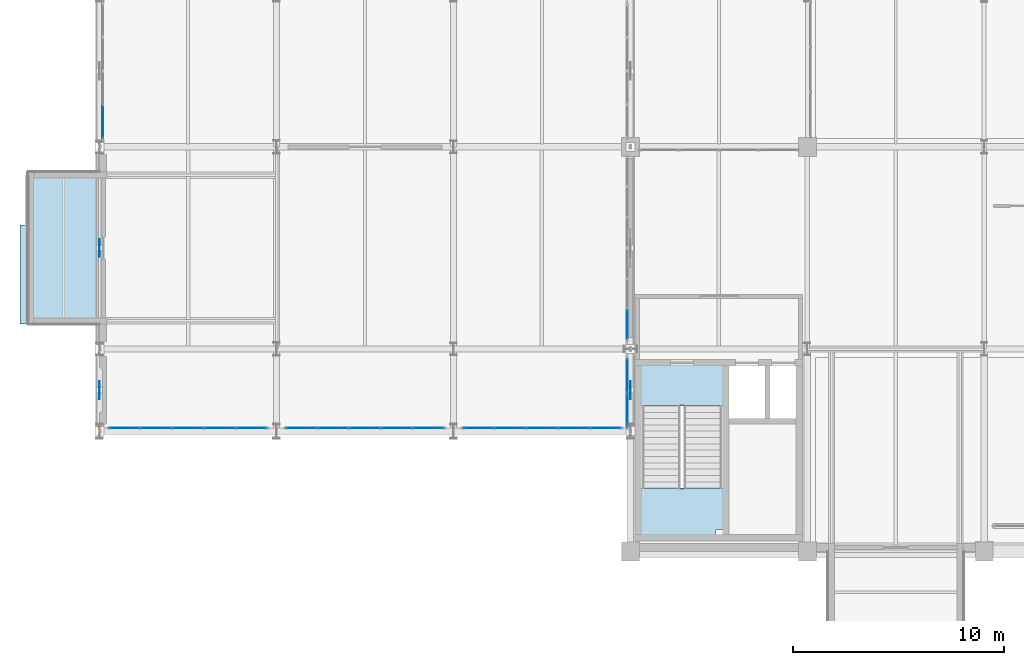
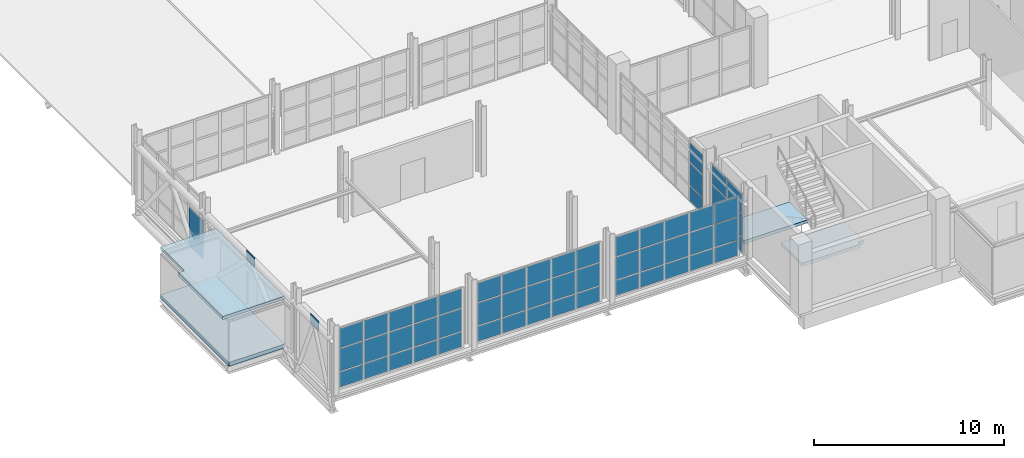
# One storey, part 104 of 130: 59 plates, 4 slabs, 7 elements without a shape of their own.
"""IFC4 building model written with IfcOpenShell, lengths in metres."""

from ifc_helpers import new_model, si_unit, direction, frame, origin, origin_2d, place, context, subcontext, project, spatial, polyline, rectangle, outline, extrude, material, layer, layer_set, type_object, element, aggregate, save


model = new_model("IFC4")

# Units and contexts
model_context = context("Model", 3, precision=1e-05, world=origin(), true_north=direction((0.0, 1.0)))
body_context = subcontext(model_context, "Body", "Model", "MODEL_VIEW")
ifc_project = project(units=[si_unit("LENGTHUNIT", "METRE"), si_unit("AREAUNIT", "SQUARE_METRE"), si_unit("VOLUMEUNIT", "CUBIC_METRE"), si_unit("PLANEANGLEUNIT", "RADIAN"), si_unit("MASSUNIT", "GRAM", prefix="KILO")], contexts=[model_context])

# Site, building, storey
site_placement = place(None, origin())
site = spatial("IfcSite", under=ifc_project, at=site_placement, CompositionType="ELEMENT")
building_placement = place(site_placement, origin())
building = spatial("IfcBuilding", under=site, at=building_placement, Name="Veltarok Museum of Natural Sciences", CompositionType="ELEMENT")
storey_placement = place(building_placement, frame((0.0, 0.0, 12.89990234375)))
storey = spatial("IfcBuildingStorey", under=building, at=storey_placement, Name="L02", CompositionType="ELEMENT", Elevation=12.89990234375)

# Slabs
ifc_material_1 = material(Name="Concrete C35/45", Category="concrete")
ifc_layer_1 = layer(ifc_material_1, 0.199951171875)
ifc_layer_set_1 = layer_set([ifc_layer_1], Name="Concrete C35/45")
slab_type_1 = type_object("IfcSlabType", Name="Cantilevered Cabinet Box Roof Slab 200", PredefinedType="ROOF", material=ifc_layer_set_1)
slab_1_placement = place(storey_placement, frame((0.0, 0.0, 2.880126953125)))
element("IfcSlab", 1, at=slab_1_placement, inside=storey, type_object=slab_type_1, Name="Cabinet Box Roof Slab DB-32", PredefinedType="ROOF", context=body_context, shape_type="SweptSolid", body=[
    extrude(outline(polyline([(2.6201171875, 10.800048828125), (6.39990234375, 10.800048828125), (6.39990234375, 18.0), (3.0, 18.0), (3.0, 15.47998046875), (2.6201171875, 15.47998046875), (2.6201171875, 10.800048828125)])), origin(), (0.0, 0.0, 1.0), 0.199951171875),
])
ifc_layer_2 = layer(ifc_material_1, 0.199951171875)
ifc_layer_set_2 = layer_set([ifc_layer_2], Name="Concrete C35/45")
slab_type_2 = type_object("IfcSlabType", Name="Protected Stair Intermediate Landing Slab 200", PredefinedType="LANDING", material=ifc_layer_set_2)
slab_2_placement = place(storey_placement, frame((0.0, 0.0, -0.199951171875)))
element("IfcSlab", 2, at=slab_2_placement, inside=storey, type_object=slab_type_2, Name="Stairwell Floor Landing ST-01 L02", PredefinedType="LANDING", context=body_context, shape_type="SweptSolid", body=[
    extrude(outline(polyline([(32.110107421875, 6.89990234375), (35.989990234375, 6.89990234375), (35.989990234375, 8.820068359375), (32.110107421875, 8.820068359375), (32.110107421875, 6.89990234375)])), origin(), (0.0, 0.0, 1.0), 0.199951171875),
])

# Stair, slab
ifc_material_2 = material(Name="Precast concrete C40/50", Category="concrete")
stair_type = type_object("IfcStairType", Name="Protected Half-Turn Escape Stair H4500", PredefinedType="HALF_TURN_STAIR", material=ifc_material_2)
stair_placement = place(storey_placement, origin())
stair = element("IfcStair", 3, at=stair_placement, inside=storey, type_object=stair_type, Name="Protected Escape Stair ST-01-L02", PredefinedType="HALF_TURN_STAIR")
slab_3_placement = place(storey_placement, frame((0.0, 0.0, 2.050048828125)))
slab_3 = element("IfcSlab", 4, at=slab_3_placement, type_object=slab_type_2, Name="ST-01-L02 landing 1", PredefinedType="LANDING", context=body_context, shape_type="SweptSolid", body=[
    extrude(outline(polyline([(32.110107421875, 0.780029296875), (35.669921875, 0.780029296875), (35.669921875, 1.02001953125), (35.989990234375, 1.02001953125), (35.989990234375, 3.0), (32.110107421875, 3.0), (32.110107421875, 0.780029296875)])), origin(), (0.0, 0.0, 1.0), 0.199951171875),
])
aggregate(stair, [slab_3])

# Slab
ifc_layer_3 = layer(ifc_material_1, 0.25)
ifc_layer_set_3 = layer_set([ifc_layer_3], Name="Concrete C35/45")
slab_type_3 = type_object("IfcSlabType", Name="Suspended Museum Floor Slab 250", PredefinedType="FLOOR", material=ifc_layer_set_3)
slab_4_placement = place(storey_placement, frame((0.0, 0.0, -0.25)))
element("IfcSlab", 5, at=slab_4_placement, inside=storey, type_object=slab_type_3, Name="Cabinet Box Floor Slab DB-32", PredefinedType="FLOOR", context=body_context, shape_type="SweptSolid", body=[
    extrude(outline(polyline([(3.0, 10.800048828125), (6.39990234375, 10.800048828125), (6.39990234375, 18.0), (3.0, 18.0), (3.0, 10.800048828125)])), origin(), (0.0, 0.0, 1.0), 0.25),
])

# Plates
ifc_material_3 = material(Name="Steel S355J2", Category="steel")
ifc_layer_4 = layer(ifc_material_3, 0.030029296875)
ifc_layer_set_4 = layer_set([ifc_layer_4], Name="Steel S355J2")
plate_type_1 = type_object("IfcPlateType", Name="Transfer Truss Chord Gusset Node Plate CN1", PredefinedType="USERDEFINED", material=ifc_layer_set_4)
for number, where, z_axis, x_axis, name in (
    (6, (6.39990234375, 7.64990234375, 3.01025390625), (0.0, 0.0, 1.0), (1.0, 0.0, 0.0), "Transfer Truss Node CN1 1"),
    (7, (6.39990234375, 14.39990234375, 3.01025390625), (0.0, 0.0, 1.0), (1.0, 0.0, 0.0), "Transfer Truss Node CN1 2"),
    (8, (31.60009765625, 7.64990234375, 3.01025390625), (0.0, 0.0, 1.0), (1.0, 0.0, 0.0), "Transfer Truss Node CN1 4"),
):
    element("IfcPlate", number, at=place(storey_placement, frame(where, z_axis=z_axis, x_axis=x_axis)), inside=storey, type_object=plate_type_1, Name=name, ObjectType="GUSSET PLATE", PredefinedType="USERDEFINED", context=body_context, shape_type="SweptSolid", body=[
        extrude(rectangle(XDim=0.030029296875, YDim=0.840087890625, at=origin_2d()), origin(), (0.0, 0.0, 1.0), 0.639892578125),
    ])

# Curtain wall, plates
ifc_material_4 = material(Name="Low-iron triple insulated glass", Category="glass")
curtain_wall_type_1 = type_object("IfcCurtainWallType", Name="Curtain Wall System CW-BRG-S-L02-1-756x388 (Bridge South Cantilever L02 1-2 756x388cm)", PredefinedType="NOTDEFINED", material=ifc_material_4)
curtain_wall_1_placement = place(storey_placement, origin())
curtain_wall_1 = element("IfcCurtainWall", 9, at=curtain_wall_1_placement, inside=storey, type_object=curtain_wall_type_1, Name="Curtain Wall CW-BRG-S-L02-1-756x388 CW-0027", PredefinedType="NOTDEFINED")
ifc_layer_5 = layer(ifc_material_4, 0.028076171875)
ifc_layer_set_5 = layer_set([ifc_layer_5], Name="Low-iron triple insulated glass")
plate_type_2 = type_object("IfcPlateType", Name="Triple Low-Iron Glazed Vision Panel 28", PredefinedType="CURTAIN_PANEL", material=ifc_layer_set_5)
plate_1_placement = place(storey_placement, frame((7.591064453125, 5.85009765625, 0.06005859375), z_axis=(0.0, 0.0, 1.0), x_axis=(1.0, 0.0, 0.0)))
plate_1 = element("IfcPlate", 10, at=plate_1_placement, type_object=plate_type_2, Name="CW-BRG-S-L02-1-756x388 panel 1.1", PredefinedType="CURTAIN_PANEL", context=body_context, shape_type="SweptSolid", body=[
    extrude(rectangle(XDim=1.422119140625, YDim=0.028076171875, at=origin_2d()), origin(), (0.0, 0.0, 1.0), 0.9599609375),
])
plate_2_placement = place(storey_placement, frame((7.591064453125, 5.85009765625, 1.080078125), z_axis=(0.0, 0.0, 1.0), x_axis=(1.0, 0.0, 0.0)))
plate_2 = element("IfcPlate", 11, at=plate_2_placement, type_object=plate_type_2, Name="CW-BRG-S-L02-1-756x388 panel 1.2", PredefinedType="CURTAIN_PANEL", context=body_context, shape_type="SweptSolid", body=[
    extrude(rectangle(XDim=1.422119140625, YDim=0.028076171875, at=origin_2d()), origin(), (0.0, 0.0, 1.0), 1.43994140625),
])
plate_3_placement = place(storey_placement, frame((7.591064453125, 5.85009765625, 2.580078125), z_axis=(0.0, 0.0, 1.0), x_axis=(1.0, 0.0, 0.0)))
plate_3 = element("IfcPlate", 12, at=plate_3_placement, type_object=plate_type_2, Name="CW-BRG-S-L02-1-756x388 panel 1.3", PredefinedType="CURTAIN_PANEL", context=body_context, shape_type="SweptSolid", body=[
    extrude(rectangle(XDim=1.422119140625, YDim=0.028076171875, at=origin_2d()), origin(), (0.0, 0.0, 1.0), 1.239990234375),
])
plate_4_placement = place(storey_placement, frame((9.087890625, 5.85009765625, 0.06005859375), z_axis=(0.0, 0.0, 1.0), x_axis=(1.0, 0.0, 0.0)))
plate_4 = element("IfcPlate", 13, at=plate_4_placement, type_object=plate_type_2, Name="CW-BRG-S-L02-1-756x388 panel 2.1", PredefinedType="CURTAIN_PANEL", context=body_context, shape_type="SweptSolid", body=[
    extrude(rectangle(XDim=1.451904296875, YDim=0.028076171875, at=origin_2d()), origin(), (0.0, 0.0, 1.0), 0.9599609375),
])
plate_5_placement = place(storey_placement, frame((9.087890625, 5.85009765625, 1.080078125), z_axis=(0.0, 0.0, 1.0), x_axis=(1.0, 0.0, 0.0)))
plate_5 = element("IfcPlate", 14, at=plate_5_placement, type_object=plate_type_2, Name="CW-BRG-S-L02-1-756x388 panel 2.2", PredefinedType="CURTAIN_PANEL", context=body_context, shape_type="SweptSolid", body=[
    extrude(rectangle(XDim=1.451904296875, YDim=0.028076171875, at=origin_2d()), origin(), (0.0, 0.0, 1.0), 1.43994140625),
])
plate_6_placement = place(storey_placement, frame((9.087890625, 5.85009765625, 2.580078125), z_axis=(0.0, 0.0, 1.0), x_axis=(1.0, 0.0, 0.0)))
plate_6 = element("IfcPlate", 15, at=plate_6_placement, type_object=plate_type_2, Name="CW-BRG-S-L02-1-756x388 panel 2.3", PredefinedType="CURTAIN_PANEL", context=body_context, shape_type="SweptSolid", body=[
    extrude(rectangle(XDim=1.451904296875, YDim=0.028076171875, at=origin_2d()), origin(), (0.0, 0.0, 1.0), 1.239990234375),
])
plate_7_placement = place(storey_placement, frame((10.60009765625, 5.85009765625, 0.06005859375), z_axis=(0.0, 0.0, 1.0), x_axis=(1.0, 0.0, 0.0)))
plate_7 = element("IfcPlate", 16, at=plate_7_placement, type_object=plate_type_2, Name="CW-BRG-S-L02-1-756x388 panel 3.1", PredefinedType="CURTAIN_PANEL", context=body_context, shape_type="SweptSolid", body=[
    extrude(rectangle(XDim=1.451904296875, YDim=0.028076171875, at=origin_2d()), origin(), (0.0, 0.0, 1.0), 0.9599609375),
])
plate_8_placement = place(storey_placement, frame((10.60009765625, 5.85009765625, 1.080078125), z_axis=(0.0, 0.0, 1.0), x_axis=(1.0, 0.0, 0.0)))
plate_8 = element("IfcPlate", 17, at=plate_8_placement, type_object=plate_type_2, Name="CW-BRG-S-L02-1-756x388 panel 3.2", PredefinedType="CURTAIN_PANEL", context=body_context, shape_type="SweptSolid", body=[
    extrude(rectangle(XDim=1.451904296875, YDim=0.028076171875, at=origin_2d()), origin(), (0.0, 0.0, 1.0), 1.43994140625),
])
plate_9_placement = place(storey_placement, frame((10.60009765625, 5.85009765625, 2.580078125), z_axis=(0.0, 0.0, 1.0), x_axis=(1.0, 0.0, 0.0)))
plate_9 = element("IfcPlate", 18, at=plate_9_placement, type_object=plate_type_2, Name="CW-BRG-S-L02-1-756x388 panel 3.3", PredefinedType="CURTAIN_PANEL", context=body_context, shape_type="SweptSolid", body=[
    extrude(rectangle(XDim=1.451904296875, YDim=0.028076171875, at=origin_2d()), origin(), (0.0, 0.0, 1.0), 1.239990234375),
])
plate_10_placement = place(storey_placement, frame((12.112060546875, 5.85009765625, 0.06005859375), z_axis=(0.0, 0.0, 1.0), x_axis=(1.0, 0.0, 0.0)))
plate_10 = element("IfcPlate", 19, at=plate_10_placement, type_object=plate_type_2, Name="CW-BRG-S-L02-1-756x388 panel 4.1", PredefinedType="CURTAIN_PANEL", context=body_context, shape_type="SweptSolid", body=[
    extrude(rectangle(XDim=1.451904296875, YDim=0.028076171875, at=origin_2d()), origin(), (0.0, 0.0, 1.0), 0.9599609375),
])
plate_11_placement = place(storey_placement, frame((12.112060546875, 5.85009765625, 1.080078125), z_axis=(0.0, 0.0, 1.0), x_axis=(1.0, 0.0, 0.0)))
plate_11 = element("IfcPlate", 20, at=plate_11_placement, type_object=plate_type_2, Name="CW-BRG-S-L02-1-756x388 panel 4.2", PredefinedType="CURTAIN_PANEL", context=body_context, shape_type="SweptSolid", body=[
    extrude(rectangle(XDim=1.451904296875, YDim=0.028076171875, at=origin_2d()), origin(), (0.0, 0.0, 1.0), 1.43994140625),
])
plate_12_placement = place(storey_placement, frame((12.112060546875, 5.85009765625, 2.580078125), z_axis=(0.0, 0.0, 1.0), x_axis=(1.0, 0.0, 0.0)))
plate_12 = element("IfcPlate", 21, at=plate_12_placement, type_object=plate_type_2, Name="CW-BRG-S-L02-1-756x388 panel 4.3", PredefinedType="CURTAIN_PANEL", context=body_context, shape_type="SweptSolid", body=[
    extrude(rectangle(XDim=1.451904296875, YDim=0.028076171875, at=origin_2d()), origin(), (0.0, 0.0, 1.0), 1.239990234375),
])
plate_13_placement = place(storey_placement, frame((13.60888671875, 5.85009765625, 0.06005859375), z_axis=(0.0, 0.0, 1.0), x_axis=(1.0, 0.0, 0.0)))
plate_13 = element("IfcPlate", 22, at=plate_13_placement, type_object=plate_type_2, Name="CW-BRG-S-L02-1-756x388 panel 5.1", PredefinedType="CURTAIN_PANEL", context=body_context, shape_type="SweptSolid", body=[
    extrude(rectangle(XDim=1.422119140625, YDim=0.028076171875, at=origin_2d()), origin(), (0.0, 0.0, 1.0), 0.9599609375),
])
plate_14_placement = place(storey_placement, frame((13.60888671875, 5.85009765625, 1.080078125), z_axis=(0.0, 0.0, 1.0), x_axis=(1.0, 0.0, 0.0)))
plate_14 = element("IfcPlate", 23, at=plate_14_placement, type_object=plate_type_2, Name="CW-BRG-S-L02-1-756x388 panel 5.2", PredefinedType="CURTAIN_PANEL", context=body_context, shape_type="SweptSolid", body=[
    extrude(rectangle(XDim=1.422119140625, YDim=0.028076171875, at=origin_2d()), origin(), (0.0, 0.0, 1.0), 1.43994140625),
])
plate_15_placement = place(storey_placement, frame((13.60888671875, 5.85009765625, 2.580078125), z_axis=(0.0, 0.0, 1.0), x_axis=(1.0, 0.0, 0.0)))
plate_15 = element("IfcPlate", 24, at=plate_15_placement, type_object=plate_type_2, Name="CW-BRG-S-L02-1-756x388 panel 5.3", PredefinedType="CURTAIN_PANEL", context=body_context, shape_type="SweptSolid", body=[
    extrude(rectangle(XDim=1.422119140625, YDim=0.028076171875, at=origin_2d()), origin(), (0.0, 0.0, 1.0), 1.239990234375),
])
aggregate(curtain_wall_1, [plate_1, plate_2, plate_3, plate_4, plate_5, plate_6, plate_7, plate_8, plate_9, plate_10, plate_11, plate_12, plate_13, plate_14, plate_15])

curtain_wall_type_2 = type_object("IfcCurtainWallType", Name="Curtain Wall System CW-BRG-S-L02-2-756x388 (Bridge South Cantilever L02 2-3 756x388cm)", PredefinedType="NOTDEFINED", material=ifc_material_4)
curtain_wall_2_placement = place(storey_placement, origin())
curtain_wall_2 = element("IfcCurtainWall", 25, at=curtain_wall_2_placement, inside=storey, type_object=curtain_wall_type_2, Name="Curtain Wall CW-BRG-S-L02-2-756x388 CW-0028", PredefinedType="NOTDEFINED")
plate_16_placement = place(storey_placement, frame((15.990966796875, 5.85009765625, 0.06005859375), z_axis=(0.0, 0.0, 1.0), x_axis=(1.0, 0.0, 0.0)))
plate_16 = element("IfcPlate", 26, at=plate_16_placement, type_object=plate_type_2, Name="CW-BRG-S-L02-2-756x388 panel 1.1", PredefinedType="CURTAIN_PANEL", context=body_context, shape_type="SweptSolid", body=[
    extrude(rectangle(XDim=1.422119140625, YDim=0.028076171875, at=origin_2d()), origin(), (0.0, 0.0, 1.0), 0.9599609375),
])
plate_17_placement = place(storey_placement, frame((15.990966796875, 5.85009765625, 1.080078125), z_axis=(0.0, 0.0, 1.0), x_axis=(1.0, 0.0, 0.0)))
plate_17 = element("IfcPlate", 27, at=plate_17_placement, type_object=plate_type_2, Name="CW-BRG-S-L02-2-756x388 panel 1.2", PredefinedType="CURTAIN_PANEL", context=body_context, shape_type="SweptSolid", body=[
    extrude(rectangle(XDim=1.422119140625, YDim=0.028076171875, at=origin_2d()), origin(), (0.0, 0.0, 1.0), 1.43994140625),
])
plate_18_placement = place(storey_placement, frame((15.990966796875, 5.85009765625, 2.580078125), z_axis=(0.0, 0.0, 1.0), x_axis=(1.0, 0.0, 0.0)))
plate_18 = element("IfcPlate", 28, at=plate_18_placement, type_object=plate_type_2, Name="CW-BRG-S-L02-2-756x388 panel 1.3", PredefinedType="CURTAIN_PANEL", context=body_context, shape_type="SweptSolid", body=[
    extrude(rectangle(XDim=1.422119140625, YDim=0.028076171875, at=origin_2d()), origin(), (0.0, 0.0, 1.0), 1.239990234375),
])
plate_19_placement = place(storey_placement, frame((17.488037109375, 5.85009765625, 0.06005859375), z_axis=(0.0, 0.0, 1.0), x_axis=(1.0, 0.0, 0.0)))
plate_19 = element("IfcPlate", 29, at=plate_19_placement, type_object=plate_type_2, Name="CW-BRG-S-L02-2-756x388 panel 2.1", PredefinedType="CURTAIN_PANEL", context=body_context, shape_type="SweptSolid", body=[
    extrude(rectangle(XDim=1.451904296875, YDim=0.028076171875, at=origin_2d()), origin(), (0.0, 0.0, 1.0), 0.9599609375),
])
plate_20_placement = place(storey_placement, frame((17.488037109375, 5.85009765625, 1.080078125), z_axis=(0.0, 0.0, 1.0), x_axis=(1.0, 0.0, 0.0)))
plate_20 = element("IfcPlate", 30, at=plate_20_placement, type_object=plate_type_2, Name="CW-BRG-S-L02-2-756x388 panel 2.2", PredefinedType="CURTAIN_PANEL", context=body_context, shape_type="SweptSolid", body=[
    extrude(rectangle(XDim=1.451904296875, YDim=0.028076171875, at=origin_2d()), origin(), (0.0, 0.0, 1.0), 1.43994140625),
])
plate_21_placement = place(storey_placement, frame((17.488037109375, 5.85009765625, 2.580078125), z_axis=(0.0, 0.0, 1.0), x_axis=(1.0, 0.0, 0.0)))
plate_21 = element("IfcPlate", 31, at=plate_21_placement, type_object=plate_type_2, Name="CW-BRG-S-L02-2-756x388 panel 2.3", PredefinedType="CURTAIN_PANEL", context=body_context, shape_type="SweptSolid", body=[
    extrude(rectangle(XDim=1.451904296875, YDim=0.028076171875, at=origin_2d()), origin(), (0.0, 0.0, 1.0), 1.239990234375),
])
plate_22_placement = place(storey_placement, frame((19.0, 5.85009765625, 0.06005859375), z_axis=(0.0, 0.0, 1.0), x_axis=(1.0, 0.0, 0.0)))
plate_22 = element("IfcPlate", 32, at=plate_22_placement, type_object=plate_type_2, Name="CW-BRG-S-L02-2-756x388 panel 3.1", PredefinedType="CURTAIN_PANEL", context=body_context, shape_type="SweptSolid", body=[
    extrude(rectangle(XDim=1.451904296875, YDim=0.028076171875, at=origin_2d()), origin(), (0.0, 0.0, 1.0), 0.9599609375),
])
plate_23_placement = place(storey_placement, frame((19.0, 5.85009765625, 1.080078125), z_axis=(0.0, 0.0, 1.0), x_axis=(1.0, 0.0, 0.0)))
plate_23 = element("IfcPlate", 33, at=plate_23_placement, type_object=plate_type_2, Name="CW-BRG-S-L02-2-756x388 panel 3.2", PredefinedType="CURTAIN_PANEL", context=body_context, shape_type="SweptSolid", body=[
    extrude(rectangle(XDim=1.451904296875, YDim=0.028076171875, at=origin_2d()), origin(), (0.0, 0.0, 1.0), 1.43994140625),
])
plate_24_placement = place(storey_placement, frame((19.0, 5.85009765625, 2.580078125), z_axis=(0.0, 0.0, 1.0), x_axis=(1.0, 0.0, 0.0)))
plate_24 = element("IfcPlate", 34, at=plate_24_placement, type_object=plate_type_2, Name="CW-BRG-S-L02-2-756x388 panel 3.3", PredefinedType="CURTAIN_PANEL", context=body_context, shape_type="SweptSolid", body=[
    extrude(rectangle(XDim=1.451904296875, YDim=0.028076171875, at=origin_2d()), origin(), (0.0, 0.0, 1.0), 1.239990234375),
])
plate_25_placement = place(storey_placement, frame((20.511962890625, 5.85009765625, 0.06005859375), z_axis=(0.0, 0.0, 1.0), x_axis=(1.0, 0.0, 0.0)))
plate_25 = element("IfcPlate", 35, at=plate_25_placement, type_object=plate_type_2, Name="CW-BRG-S-L02-2-756x388 panel 4.1", PredefinedType="CURTAIN_PANEL", context=body_context, shape_type="SweptSolid", body=[
    extrude(rectangle(XDim=1.451904296875, YDim=0.028076171875, at=origin_2d()), origin(), (0.0, 0.0, 1.0), 0.9599609375),
])
plate_26_placement = place(storey_placement, frame((20.511962890625, 5.85009765625, 1.080078125), z_axis=(0.0, 0.0, 1.0), x_axis=(1.0, 0.0, 0.0)))
plate_26 = element("IfcPlate", 36, at=plate_26_placement, type_object=plate_type_2, Name="CW-BRG-S-L02-2-756x388 panel 4.2", PredefinedType="CURTAIN_PANEL", context=body_context, shape_type="SweptSolid", body=[
    extrude(rectangle(XDim=1.451904296875, YDim=0.028076171875, at=origin_2d()), origin(), (0.0, 0.0, 1.0), 1.43994140625),
])
plate_27_placement = place(storey_placement, frame((20.511962890625, 5.85009765625, 2.580078125), z_axis=(0.0, 0.0, 1.0), x_axis=(1.0, 0.0, 0.0)))
plate_27 = element("IfcPlate", 37, at=plate_27_placement, type_object=plate_type_2, Name="CW-BRG-S-L02-2-756x388 panel 4.3", PredefinedType="CURTAIN_PANEL", context=body_context, shape_type="SweptSolid", body=[
    extrude(rectangle(XDim=1.451904296875, YDim=0.028076171875, at=origin_2d()), origin(), (0.0, 0.0, 1.0), 1.239990234375),
])
plate_28_placement = place(storey_placement, frame((22.009033203125, 5.85009765625, 0.06005859375), z_axis=(0.0, 0.0, 1.0), x_axis=(1.0, 0.0, 0.0)))
plate_28 = element("IfcPlate", 38, at=plate_28_placement, type_object=plate_type_2, Name="CW-BRG-S-L02-2-756x388 panel 5.1", PredefinedType="CURTAIN_PANEL", context=body_context, shape_type="SweptSolid", body=[
    extrude(rectangle(XDim=1.422119140625, YDim=0.028076171875, at=origin_2d()), origin(), (0.0, 0.0, 1.0), 0.9599609375),
])
plate_29_placement = place(storey_placement, frame((22.009033203125, 5.85009765625, 1.080078125), z_axis=(0.0, 0.0, 1.0), x_axis=(1.0, 0.0, 0.0)))
plate_29 = element("IfcPlate", 39, at=plate_29_placement, type_object=plate_type_2, Name="CW-BRG-S-L02-2-756x388 panel 5.2", PredefinedType="CURTAIN_PANEL", context=body_context, shape_type="SweptSolid", body=[
    extrude(rectangle(XDim=1.422119140625, YDim=0.028076171875, at=origin_2d()), origin(), (0.0, 0.0, 1.0), 1.43994140625),
])
plate_30_placement = place(storey_placement, frame((22.009033203125, 5.85009765625, 2.580078125), z_axis=(0.0, 0.0, 1.0), x_axis=(1.0, 0.0, 0.0)))
plate_30 = element("IfcPlate", 40, at=plate_30_placement, type_object=plate_type_2, Name="CW-BRG-S-L02-2-756x388 panel 5.3", PredefinedType="CURTAIN_PANEL", context=body_context, shape_type="SweptSolid", body=[
    extrude(rectangle(XDim=1.422119140625, YDim=0.028076171875, at=origin_2d()), origin(), (0.0, 0.0, 1.0), 1.239990234375),
])
aggregate(curtain_wall_2, [plate_16, plate_17, plate_18, plate_19, plate_20, plate_21, plate_22, plate_23, plate_24, plate_25, plate_26, plate_27, plate_28, plate_29, plate_30])

curtain_wall_type_3 = type_object("IfcCurtainWallType", Name="Curtain Wall System CW-BRG-S-L02-3-756x388 (Bridge South Cantilever L02 3-4 756x388cm)", PredefinedType="NOTDEFINED", material=ifc_material_4)
curtain_wall_3_placement = place(storey_placement, origin())
curtain_wall_3 = element("IfcCurtainWall", 41, at=curtain_wall_3_placement, inside=storey, type_object=curtain_wall_type_3, Name="Curtain Wall CW-BRG-S-L02-3-756x388 CW-0029", PredefinedType="NOTDEFINED")
plate_31_placement = place(storey_placement, frame((24.39111328125, 5.85009765625, 0.06005859375), z_axis=(0.0, 0.0, 1.0), x_axis=(1.0, 0.0, 0.0)))
plate_31 = element("IfcPlate", 42, at=plate_31_placement, type_object=plate_type_2, Name="CW-BRG-S-L02-3-756x388 panel 1.1", PredefinedType="CURTAIN_PANEL", context=body_context, shape_type="SweptSolid", body=[
    extrude(rectangle(XDim=1.422119140625, YDim=0.028076171875, at=origin_2d()), origin(), (0.0, 0.0, 1.0), 0.9599609375),
])
plate_32_placement = place(storey_placement, frame((24.39111328125, 5.85009765625, 1.080078125), z_axis=(0.0, 0.0, 1.0), x_axis=(1.0, 0.0, 0.0)))
plate_32 = element("IfcPlate", 43, at=plate_32_placement, type_object=plate_type_2, Name="CW-BRG-S-L02-3-756x388 panel 1.2", PredefinedType="CURTAIN_PANEL", context=body_context, shape_type="SweptSolid", body=[
    extrude(rectangle(XDim=1.422119140625, YDim=0.028076171875, at=origin_2d()), origin(), (0.0, 0.0, 1.0), 1.43994140625),
])
plate_33_placement = place(storey_placement, frame((24.39111328125, 5.85009765625, 2.580078125), z_axis=(0.0, 0.0, 1.0), x_axis=(1.0, 0.0, 0.0)))
plate_33 = element("IfcPlate", 44, at=plate_33_placement, type_object=plate_type_2, Name="CW-BRG-S-L02-3-756x388 panel 1.3", PredefinedType="CURTAIN_PANEL", context=body_context, shape_type="SweptSolid", body=[
    extrude(rectangle(XDim=1.422119140625, YDim=0.028076171875, at=origin_2d()), origin(), (0.0, 0.0, 1.0), 1.239990234375),
])
plate_34_placement = place(storey_placement, frame((25.887939453125, 5.85009765625, 0.06005859375), z_axis=(0.0, 0.0, 1.0), x_axis=(1.0, 0.0, 0.0)))
plate_34 = element("IfcPlate", 45, at=plate_34_placement, type_object=plate_type_2, Name="CW-BRG-S-L02-3-756x388 panel 2.1", PredefinedType="CURTAIN_PANEL", context=body_context, shape_type="SweptSolid", body=[
    extrude(rectangle(XDim=1.451904296875, YDim=0.028076171875, at=origin_2d()), origin(), (0.0, 0.0, 1.0), 0.9599609375),
])
plate_35_placement = place(storey_placement, frame((25.887939453125, 5.85009765625, 1.080078125), z_axis=(0.0, 0.0, 1.0), x_axis=(1.0, 0.0, 0.0)))
plate_35 = element("IfcPlate", 46, at=plate_35_placement, type_object=plate_type_2, Name="CW-BRG-S-L02-3-756x388 panel 2.2", PredefinedType="CURTAIN_PANEL", context=body_context, shape_type="SweptSolid", body=[
    extrude(rectangle(XDim=1.451904296875, YDim=0.028076171875, at=origin_2d()), origin(), (0.0, 0.0, 1.0), 1.43994140625),
])
plate_36_placement = place(storey_placement, frame((25.887939453125, 5.85009765625, 2.580078125), z_axis=(0.0, 0.0, 1.0), x_axis=(1.0, 0.0, 0.0)))
plate_36 = element("IfcPlate", 47, at=plate_36_placement, type_object=plate_type_2, Name="CW-BRG-S-L02-3-756x388 panel 2.3", PredefinedType="CURTAIN_PANEL", context=body_context, shape_type="SweptSolid", body=[
    extrude(rectangle(XDim=1.451904296875, YDim=0.028076171875, at=origin_2d()), origin(), (0.0, 0.0, 1.0), 1.239990234375),
])
plate_37_placement = place(storey_placement, frame((27.39990234375, 5.85009765625, 0.06005859375), z_axis=(0.0, 0.0, 1.0), x_axis=(1.0, 0.0, 0.0)))
plate_37 = element("IfcPlate", 48, at=plate_37_placement, type_object=plate_type_2, Name="CW-BRG-S-L02-3-756x388 panel 3.1", PredefinedType="CURTAIN_PANEL", context=body_context, shape_type="SweptSolid", body=[
    extrude(rectangle(XDim=1.451904296875, YDim=0.028076171875, at=origin_2d()), origin(), (0.0, 0.0, 1.0), 0.9599609375),
])
plate_38_placement = place(storey_placement, frame((27.39990234375, 5.85009765625, 1.080078125), z_axis=(0.0, 0.0, 1.0), x_axis=(1.0, 0.0, 0.0)))
plate_38 = element("IfcPlate", 49, at=plate_38_placement, type_object=plate_type_2, Name="CW-BRG-S-L02-3-756x388 panel 3.2", PredefinedType="CURTAIN_PANEL", context=body_context, shape_type="SweptSolid", body=[
    extrude(rectangle(XDim=1.451904296875, YDim=0.028076171875, at=origin_2d()), origin(), (0.0, 0.0, 1.0), 1.43994140625),
])
plate_39_placement = place(storey_placement, frame((27.39990234375, 5.85009765625, 2.580078125), z_axis=(0.0, 0.0, 1.0), x_axis=(1.0, 0.0, 0.0)))
plate_39 = element("IfcPlate", 50, at=plate_39_placement, type_object=plate_type_2, Name="CW-BRG-S-L02-3-756x388 panel 3.3", PredefinedType="CURTAIN_PANEL", context=body_context, shape_type="SweptSolid", body=[
    extrude(rectangle(XDim=1.451904296875, YDim=0.028076171875, at=origin_2d()), origin(), (0.0, 0.0, 1.0), 1.239990234375),
])
plate_40_placement = place(storey_placement, frame((28.912109375, 5.85009765625, 0.06005859375), z_axis=(0.0, 0.0, 1.0), x_axis=(1.0, 0.0, 0.0)))
plate_40 = element("IfcPlate", 51, at=plate_40_placement, type_object=plate_type_2, Name="CW-BRG-S-L02-3-756x388 panel 4.1", PredefinedType="CURTAIN_PANEL", context=body_context, shape_type="SweptSolid", body=[
    extrude(rectangle(XDim=1.451904296875, YDim=0.028076171875, at=origin_2d()), origin(), (0.0, 0.0, 1.0), 0.9599609375),
])
plate_41_placement = place(storey_placement, frame((28.912109375, 5.85009765625, 1.080078125), z_axis=(0.0, 0.0, 1.0), x_axis=(1.0, 0.0, 0.0)))
plate_41 = element("IfcPlate", 52, at=plate_41_placement, type_object=plate_type_2, Name="CW-BRG-S-L02-3-756x388 panel 4.2", PredefinedType="CURTAIN_PANEL", context=body_context, shape_type="SweptSolid", body=[
    extrude(rectangle(XDim=1.451904296875, YDim=0.028076171875, at=origin_2d()), origin(), (0.0, 0.0, 1.0), 1.43994140625),
])
plate_42_placement = place(storey_placement, frame((28.912109375, 5.85009765625, 2.580078125), z_axis=(0.0, 0.0, 1.0), x_axis=(1.0, 0.0, 0.0)))
plate_42 = element("IfcPlate", 53, at=plate_42_placement, type_object=plate_type_2, Name="CW-BRG-S-L02-3-756x388 panel 4.3", PredefinedType="CURTAIN_PANEL", context=body_context, shape_type="SweptSolid", body=[
    extrude(rectangle(XDim=1.451904296875, YDim=0.028076171875, at=origin_2d()), origin(), (0.0, 0.0, 1.0), 1.239990234375),
])
plate_43_placement = place(storey_placement, frame((30.408935546875, 5.85009765625, 0.06005859375), z_axis=(0.0, 0.0, 1.0), x_axis=(1.0, 0.0, 0.0)))
plate_43 = element("IfcPlate", 54, at=plate_43_placement, type_object=plate_type_2, Name="CW-BRG-S-L02-3-756x388 panel 5.1", PredefinedType="CURTAIN_PANEL", context=body_context, shape_type="SweptSolid", body=[
    extrude(rectangle(XDim=1.422119140625, YDim=0.028076171875, at=origin_2d()), origin(), (0.0, 0.0, 1.0), 0.9599609375),
])
plate_44_placement = place(storey_placement, frame((30.408935546875, 5.85009765625, 1.080078125), z_axis=(0.0, 0.0, 1.0), x_axis=(1.0, 0.0, 0.0)))
plate_44 = element("IfcPlate", 55, at=plate_44_placement, type_object=plate_type_2, Name="CW-BRG-S-L02-3-756x388 panel 5.2", PredefinedType="CURTAIN_PANEL", context=body_context, shape_type="SweptSolid", body=[
    extrude(rectangle(XDim=1.422119140625, YDim=0.028076171875, at=origin_2d()), origin(), (0.0, 0.0, 1.0), 1.43994140625),
])
plate_45_placement = place(storey_placement, frame((30.408935546875, 5.85009765625, 2.580078125), z_axis=(0.0, 0.0, 1.0), x_axis=(1.0, 0.0, 0.0)))
plate_45 = element("IfcPlate", 56, at=plate_45_placement, type_object=plate_type_2, Name="CW-BRG-S-L02-3-756x388 panel 5.3", PredefinedType="CURTAIN_PANEL", context=body_context, shape_type="SweptSolid", body=[
    extrude(rectangle(XDim=1.422119140625, YDim=0.028076171875, at=origin_2d()), origin(), (0.0, 0.0, 1.0), 1.239990234375),
])
aggregate(curtain_wall_3, [plate_31, plate_32, plate_33, plate_34, plate_35, plate_36, plate_37, plate_38, plate_39, plate_40, plate_41, plate_42, plate_43, plate_44, plate_45])

curtain_wall_type_4 = type_object("IfcCurtainWallType", Name="Curtain Wall System CW-BRG-E-L02-CANT-333x388 (Bridge East Court L02 CANT 333x388cm)", PredefinedType="NOTDEFINED", material=ifc_material_4)
curtain_wall_4_placement = place(storey_placement, origin())
curtain_wall_4 = element("IfcCurtainWall", 57, at=curtain_wall_4_placement, inside=storey, type_object=curtain_wall_type_4, Name="Curtain Wall CW-BRG-E-L02-CANT-333x388 CW-0030", PredefinedType="NOTDEFINED")
plate_46_placement = place(storey_placement, frame((31.449951171875, 6.697509765625, 0.06005859375), z_axis=(0.0, 0.0, 1.0), x_axis=(0.0, 1.0, 0.0)))
plate_46 = element("IfcPlate", 58, at=plate_46_placement, type_object=plate_type_2, Name="CW-BRG-E-L02-CANT-333x388 panel 1.1", PredefinedType="CURTAIN_PANEL", context=body_context, shape_type="SweptSolid", body=[
    extrude(rectangle(XDim=1.574951171875, YDim=0.028076171875, at=origin_2d()), origin(), (0.0, 0.0, 1.0), 0.9599609375),
])
plate_47_placement = place(storey_placement, frame((31.449951171875, 6.697509765625, 1.080078125), z_axis=(0.0, 0.0, 1.0), x_axis=(0.0, 1.0, 0.0)))
plate_47 = element("IfcPlate", 59, at=plate_47_placement, type_object=plate_type_2, Name="CW-BRG-E-L02-CANT-333x388 panel 1.2", PredefinedType="CURTAIN_PANEL", context=body_context, shape_type="SweptSolid", body=[
    extrude(rectangle(XDim=1.574951171875, YDim=0.028076171875, at=origin_2d()), origin(), (0.0, 0.0, 1.0), 1.43994140625),
])
plate_48_placement = place(storey_placement, frame((31.449951171875, 6.697509765625, 2.580078125), z_axis=(0.0, 0.0, 1.0), x_axis=(0.0, 1.0, 0.0)))
plate_48 = element("IfcPlate", 60, at=plate_48_placement, type_object=plate_type_2, Name="CW-BRG-E-L02-CANT-333x388 panel 1.3", PredefinedType="CURTAIN_PANEL", context=body_context, shape_type="SweptSolid", body=[
    extrude(rectangle(XDim=1.574951171875, YDim=0.028076171875, at=origin_2d()), origin(), (0.0, 0.0, 1.0), 1.239990234375),
])
plate_49_placement = place(storey_placement, frame((31.449951171875, 8.33251953125, 0.06005859375), z_axis=(0.0, 0.0, 1.0), x_axis=(0.0, 1.0, 0.0)))
plate_49 = element("IfcPlate", 61, at=plate_49_placement, type_object=plate_type_2, Name="CW-BRG-E-L02-CANT-333x388 panel 2.1", PredefinedType="CURTAIN_PANEL", context=body_context, shape_type="SweptSolid", body=[
    extrude(rectangle(XDim=1.574951171875, YDim=0.028076171875, at=origin_2d()), origin(), (0.0, 0.0, 1.0), 0.9599609375),
])
plate_50_placement = place(storey_placement, frame((31.449951171875, 8.33251953125, 1.080078125), z_axis=(0.0, 0.0, 1.0), x_axis=(0.0, 1.0, 0.0)))
plate_50 = element("IfcPlate", 62, at=plate_50_placement, type_object=plate_type_2, Name="CW-BRG-E-L02-CANT-333x388 panel 2.2", PredefinedType="CURTAIN_PANEL", context=body_context, shape_type="SweptSolid", body=[
    extrude(rectangle(XDim=1.574951171875, YDim=0.028076171875, at=origin_2d()), origin(), (0.0, 0.0, 1.0), 1.43994140625),
])
plate_51_placement = place(storey_placement, frame((31.449951171875, 8.33251953125, 2.580078125), z_axis=(0.0, 0.0, 1.0), x_axis=(0.0, 1.0, 0.0)))
plate_51 = element("IfcPlate", 63, at=plate_51_placement, type_object=plate_type_2, Name="CW-BRG-E-L02-CANT-333x388 panel 2.3", PredefinedType="CURTAIN_PANEL", context=body_context, shape_type="SweptSolid", body=[
    extrude(rectangle(XDim=1.574951171875, YDim=0.028076171875, at=origin_2d()), origin(), (0.0, 0.0, 1.0), 1.239990234375),
])
aggregate(curtain_wall_4, [plate_46, plate_47, plate_48, plate_49, plate_50, plate_51])

curtain_wall_type_5 = type_object("IfcCurtainWallType", Name="Curtain Wall System CW-BRG-E-L02-BC-876x388 (Bridge East Court L02 BC 876x388cm)", PredefinedType="NOTDEFINED", material=ifc_material_4)
curtain_wall_5_placement = place(storey_placement, origin())
curtain_wall_5 = element("IfcCurtainWall", 64, at=curtain_wall_5_placement, inside=storey, type_object=curtain_wall_type_5, Name="Curtain Wall CW-BRG-E-L02-BC-876x388 CW-0031", PredefinedType="NOTDEFINED")
plate_52_placement = place(storey_placement, frame((31.449951171875, 10.764892578125, 0.06005859375), z_axis=(0.0, 0.0, 1.0), x_axis=(0.0, 1.0, 0.0)))
plate_52 = element("IfcPlate", 65, at=plate_52_placement, type_object=plate_type_2, Name="CW-BRG-E-L02-BC-876x388 panel 1.1", PredefinedType="CURTAIN_PANEL", context=body_context, shape_type="SweptSolid", body=[
    extrude(rectangle(XDim=1.3701171875, YDim=0.028076171875, at=origin_2d()), origin(), (0.0, 0.0, 1.0), 0.9599609375),
])
plate_53_placement = place(storey_placement, frame((31.449951171875, 10.764892578125, 1.080078125), z_axis=(0.0, 0.0, 1.0), x_axis=(0.0, 1.0, 0.0)))
plate_53 = element("IfcPlate", 66, at=plate_53_placement, type_object=plate_type_2, Name="CW-BRG-E-L02-BC-876x388 panel 1.2", PredefinedType="CURTAIN_PANEL", context=body_context, shape_type="SweptSolid", body=[
    extrude(rectangle(XDim=1.3701171875, YDim=0.028076171875, at=origin_2d()), origin(), (0.0, 0.0, 1.0), 1.43994140625),
])
plate_54_placement = place(storey_placement, frame((31.449951171875, 10.764892578125, 2.580078125), z_axis=(0.0, 0.0, 1.0), x_axis=(0.0, 1.0, 0.0)))
plate_54 = element("IfcPlate", 67, at=plate_54_placement, type_object=plate_type_2, Name="CW-BRG-E-L02-BC-876x388 panel 1.3", PredefinedType="CURTAIN_PANEL", context=body_context, shape_type="SweptSolid", body=[
    extrude(rectangle(XDim=1.3701171875, YDim=0.028076171875, at=origin_2d()), origin(), (0.0, 0.0, 1.0), 1.239990234375),
])
aggregate(curtain_wall_5, [plate_52, plate_53, plate_54])

curtain_wall_type_6 = type_object("IfcCurtainWallType", Name="Curtain Wall System CW-BRG-W-L02-CD-648x388 (Bridge West Forecourt L02 C-D 648x388cm)", PredefinedType="NOTDEFINED", material=ifc_material_4)
curtain_wall_6_placement = place(storey_placement, origin())
curtain_wall_6 = element("IfcCurtainWall", 68, at=curtain_wall_6_placement, inside=storey, type_object=curtain_wall_type_6, Name="Curtain Wall CW-BRG-W-L02-CD-648x388 CW-0036", PredefinedType="NOTDEFINED")
plate_55_placement = place(storey_placement, frame((6.550048828125, 20.385009765625, 0.06005859375), z_axis=(0.0, 0.0, 1.0), x_axis=(0.0, -1.0, 0.0)))
plate_55 = element("IfcPlate", 69, at=plate_55_placement, type_object=plate_type_2, Name="CW-BRG-W-L02-CD-648x388 panel 4.1", PredefinedType="CURTAIN_PANEL", context=body_context, shape_type="SweptSolid", body=[
    extrude(rectangle(XDim=1.530029296875, YDim=0.028076171875, at=origin_2d()), origin(), (0.0, 0.0, 1.0), 0.9599609375),
])
plate_56_placement = place(storey_placement, frame((6.550048828125, 20.385009765625, 1.080078125), z_axis=(0.0, 0.0, 1.0), x_axis=(0.0, -1.0, 0.0)))
plate_56 = element("IfcPlate", 70, at=plate_56_placement, type_object=plate_type_2, Name="CW-BRG-W-L02-CD-648x388 panel 4.2", PredefinedType="CURTAIN_PANEL", context=body_context, shape_type="SweptSolid", body=[
    extrude(rectangle(XDim=1.530029296875, YDim=0.028076171875, at=origin_2d()), origin(), (0.0, 0.0, 1.0), 1.43994140625),
])
aggregate(curtain_wall_6, [plate_55, plate_56])

save(model, "model.ifc")
